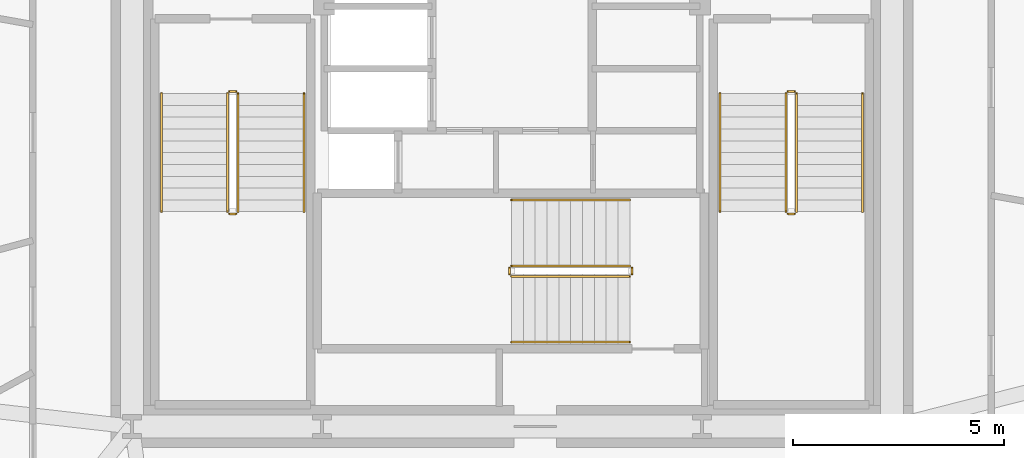
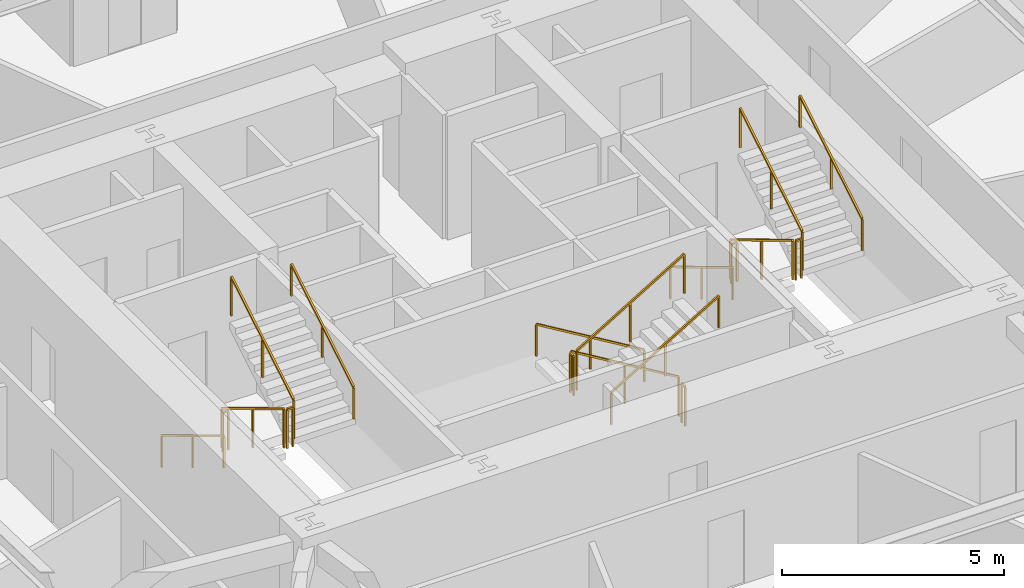
# One storey, part 8 of 9: 18 railings.
"""IFC4 building model written with IfcOpenShell, lengths in metres."""

from ifc_helpers import new_model, si_unit, direction, frame, origin, origin_2d, place, context, subcontext, project, spatial, rectangle, extrude, material, layer, layer_set, type_object, element, save


model = new_model("IFC4")

# Units and contexts
model_context = context("Model", 3, precision=1e-05, world=origin(), true_north=direction((0.0, 1.0)))
body_context = subcontext(model_context, "Body", "Model", "MODEL_VIEW")
ifc_project = project(units=[si_unit("LENGTHUNIT", "METRE"), si_unit("AREAUNIT", "SQUARE_METRE"), si_unit("VOLUMEUNIT", "CUBIC_METRE"), si_unit("PLANEANGLEUNIT", "RADIAN"), si_unit("MASSUNIT", "GRAM", prefix="KILO")], contexts=[model_context])

# Site, building, storey
site_placement = place(None, origin())
site = spatial("IfcSite", under=ifc_project, at=site_placement, CompositionType="ELEMENT")
building_placement = place(site_placement, origin())
building = spatial("IfcBuilding", under=site, at=building_placement, Name="Kilnhurst Terrace Hotel", CompositionType="ELEMENT")
storey_placement = place(building_placement, frame((0.0, 0.0, 60.10009765625)))
storey = spatial("IfcBuildingStorey", under=building, at=storey_placement, Name="L13", CompositionType="ELEMENT", Elevation=60.10009765625)

# Railings
ifc_material_1 = material(Name="Powder-Coated Steel ASTM A500 Grade B", Category="steel")
ifc_layer_1 = layer(ifc_material_1, 0.050048828125, Name="Powder-Coated Steel ASTM A500 Grade B")
ifc_layer_set_1 = layer_set([ifc_layer_1], Name="Powder-Coated Steel ASTM A500 Grade B")
railing_type_1 = type_object("IfcRailingType", Name="RLG-ST-GRD-1100", PredefinedType="GUARDRAIL", material=ifc_layer_set_1)
railing_1_placement = place(storey_placement, frame((-6.739990234375, 0.389892578125, 0.16796875)))
element("IfcRailing", 1, at=railing_1_placement, inside=storey, type_object=railing_type_1, Name="L13 ST-1 stair guard 1", PredefinedType="GUARDRAIL", context=body_context, shape_type="SweptSolid", body=[
    extrude(rectangle(XDim=0.048095703125, YDim=0.048095703125, at=origin_2d()), frame((0.0, 0.0, 1.076171875), z_axis=(0.0, -0.857222391501, 0.514946377315), x_axis=(1.0, 0.0, 0.0)), (0.0, 0.0, 1.0), 3.26611328125),
    extrude(rectangle(XDim=0.0419921875, YDim=0.0419921875, at=origin_2d()), origin(), (0.0, 0.0, 1.0), 1.052001953125),
    extrude(rectangle(XDim=0.0419921875, YDim=0.0419921875, at=origin_2d()), frame((0.0, -1.39990234375, 0.8408203125)), (0.0, 0.0, 1.0), 1.052001953125),
    extrude(rectangle(XDim=0.0419921875, YDim=0.0419921875, at=origin_2d()), frame((0.0, -2.7998046875, 1.681884765625)), (0.0, 0.0, 1.0), 1.052001953125),
])
railing_2_placement = place(storey_placement, frame((-6.68994140625, -2.4599609375, 1.849853515625)))
element("IfcRailing", 2, at=railing_2_placement, inside=storey, type_object=railing_type_1, Name="L13 ST-1 stair guard 2", PredefinedType="GUARDRAIL", context=body_context, shape_type="SweptSolid", body=[
    extrude(rectangle(XDim=0.048095703125, YDim=0.048095703125, at=origin_2d()), frame((0.0, 0.0, 1.076171875), z_axis=(1.0, 0.0, 0.0), x_axis=(0.0, 1.0, 0.0)), (0.0, 0.0, 1.0), 0.14990234375),
    extrude(rectangle(XDim=0.0419921875, YDim=0.0419921875, at=origin_2d()), origin(), (0.0, 0.0, 1.0), 1.052001953125),
    extrude(rectangle(XDim=0.0419921875, YDim=0.0419921875, at=origin_2d()), frame((0.14990234375, 0.0, 0.0)), (0.0, 0.0, 1.0), 1.052001953125),
])
railing_3_placement = place(storey_placement, frame((-6.489990234375, -2.409912109375, 2.01806640625)))
element("IfcRailing", 3, at=railing_3_placement, inside=storey, type_object=railing_type_1, Name="L13 ST-1 stair guard 3", PredefinedType="GUARDRAIL", context=body_context, shape_type="SweptSolid", body=[
    extrude(rectangle(XDim=0.048095703125, YDim=0.048095703125, at=origin_2d()), frame((0.0, 0.0, 1.076171875), z_axis=(0.0, 0.857222391501, 0.514946377315), x_axis=(-1.0, 0.0, 0.0)), (0.0, 0.0, 1.0), 3.26611328125),
    extrude(rectangle(XDim=0.0419921875, YDim=0.0419921875, at=origin_2d()), origin(), (0.0, 0.0, 1.0), 1.052001953125),
    extrude(rectangle(XDim=0.0419921875, YDim=0.0419921875, at=origin_2d()), frame((0.0, 1.39990234375, 0.8408203125)), (0.0, 0.0, 1.0), 1.052001953125),
    extrude(rectangle(XDim=0.0419921875, YDim=0.0419921875, at=origin_2d()), frame((0.0, 2.7998046875, 1.681884765625)), (0.0, 0.0, 1.0), 1.052001953125),
])
railing_4_placement = place(storey_placement, frame((-6.68994140625, 0.43994140625, 0.0)))
element("IfcRailing", 4, at=railing_4_placement, inside=storey, type_object=railing_type_1, Name="L13 ST-1 stair guard 4", PredefinedType="GUARDRAIL", context=body_context, shape_type="SweptSolid", body=[
    extrude(rectangle(XDim=0.048095703125, YDim=0.048095703125, at=origin_2d()), frame((0.0, 0.0, 1.076171875), z_axis=(1.0, 0.0, 0.0), x_axis=(0.0, 1.0, 0.0)), (0.0, 0.0, 1.0), 0.14990234375),
    extrude(rectangle(XDim=0.0419921875, YDim=0.0419921875, at=origin_2d()), origin(), (0.0, 0.0, 1.0), 1.052001953125),
    extrude(rectangle(XDim=0.0419921875, YDim=0.0419921875, at=origin_2d()), frame((0.14990234375, 0.0, 0.0)), (0.0, 0.0, 1.0), 1.052001953125),
])
railing_5_placement = place(storey_placement, frame((6.489990234375, 0.389892578125, 0.16796875)))
element("IfcRailing", 5, at=railing_5_placement, inside=storey, type_object=railing_type_1, Name="L13 ST-2 stair guard 1", PredefinedType="GUARDRAIL", context=body_context, shape_type="SweptSolid", body=[
    extrude(rectangle(XDim=0.048095703125, YDim=0.048095703125, at=origin_2d()), frame((0.0, 0.0, 1.076171875), z_axis=(0.0, -0.857222391501, 0.514946377315), x_axis=(1.0, 0.0, 0.0)), (0.0, 0.0, 1.0), 3.26611328125),
    extrude(rectangle(XDim=0.0419921875, YDim=0.0419921875, at=origin_2d()), origin(), (0.0, 0.0, 1.0), 1.052001953125),
    extrude(rectangle(XDim=0.0419921875, YDim=0.0419921875, at=origin_2d()), frame((0.0, -1.39990234375, 0.8408203125)), (0.0, 0.0, 1.0), 1.052001953125),
    extrude(rectangle(XDim=0.0419921875, YDim=0.0419921875, at=origin_2d()), frame((0.0, -2.7998046875, 1.681884765625)), (0.0, 0.0, 1.0), 1.052001953125),
])
railing_6_placement = place(storey_placement, frame((6.5400390625, -2.4599609375, 1.849853515625)))
element("IfcRailing", 6, at=railing_6_placement, inside=storey, type_object=railing_type_1, Name="L13 ST-2 stair guard 2", PredefinedType="GUARDRAIL", context=body_context, shape_type="SweptSolid", body=[
    extrude(rectangle(XDim=0.048095703125, YDim=0.048095703125, at=origin_2d()), frame((0.0, 0.0, 1.076171875), z_axis=(1.0, 0.0, 0.0), x_axis=(0.0, 1.0, 0.0)), (0.0, 0.0, 1.0), 0.14990234375),
    extrude(rectangle(XDim=0.0419921875, YDim=0.0419921875, at=origin_2d()), origin(), (0.0, 0.0, 1.0), 1.052001953125),
    extrude(rectangle(XDim=0.0419921875, YDim=0.0419921875, at=origin_2d()), frame((0.14990234375, 0.0, 0.0)), (0.0, 0.0, 1.0), 1.052001953125),
])
railing_7_placement = place(storey_placement, frame((6.739990234375, -2.409912109375, 2.01806640625)))
element("IfcRailing", 7, at=railing_7_placement, inside=storey, type_object=railing_type_1, Name="L13 ST-2 stair guard 3", PredefinedType="GUARDRAIL", context=body_context, shape_type="SweptSolid", body=[
    extrude(rectangle(XDim=0.048095703125, YDim=0.048095703125, at=origin_2d()), frame((0.0, 0.0, 1.076171875), z_axis=(0.0, 0.857222391501, 0.514946377315), x_axis=(-1.0, 0.0, 0.0)), (0.0, 0.0, 1.0), 3.26611328125),
    extrude(rectangle(XDim=0.0419921875, YDim=0.0419921875, at=origin_2d()), origin(), (0.0, 0.0, 1.0), 1.052001953125),
    extrude(rectangle(XDim=0.0419921875, YDim=0.0419921875, at=origin_2d()), frame((0.0, 1.39990234375, 0.8408203125)), (0.0, 0.0, 1.0), 1.052001953125),
    extrude(rectangle(XDim=0.0419921875, YDim=0.0419921875, at=origin_2d()), frame((0.0, 2.7998046875, 1.681884765625)), (0.0, 0.0, 1.0), 1.052001953125),
])
railing_8_placement = place(storey_placement, frame((6.5400390625, 0.43994140625, 0.0)))
element("IfcRailing", 8, at=railing_8_placement, inside=storey, type_object=railing_type_1, Name="L13 ST-2 stair guard 4", PredefinedType="GUARDRAIL", context=body_context, shape_type="SweptSolid", body=[
    extrude(rectangle(XDim=0.048095703125, YDim=0.048095703125, at=origin_2d()), frame((0.0, 0.0, 1.076171875), z_axis=(1.0, 0.0, 0.0), x_axis=(0.0, 1.0, 0.0)), (0.0, 0.0, 1.0), 0.14990234375),
    extrude(rectangle(XDim=0.0419921875, YDim=0.0419921875, at=origin_2d()), origin(), (0.0, 0.0, 1.0), 1.052001953125),
    extrude(rectangle(XDim=0.0419921875, YDim=0.0419921875, at=origin_2d()), frame((0.14990234375, 0.0, 0.0)), (0.0, 0.0, 1.0), 1.052001953125),
])
railing_9_placement = place(storey_placement, frame((2.7900390625, -3.68994140625, 0.16796875)))
element("IfcRailing", 9, at=railing_9_placement, inside=storey, type_object=railing_type_1, Name="L13 ST-3 stair guard 1", PredefinedType="GUARDRAIL", context=body_context, shape_type="SweptSolid", body=[
    extrude(rectangle(XDim=0.048095703125, YDim=0.048095703125, at=origin_2d()), frame((0.0, 0.0, 1.076171875), z_axis=(-0.857242210791, 0.0, 0.514913383045), x_axis=(0.0, -1.0, 0.0)), (0.0, 0.0, 1.0), 3.266357421875),
    extrude(rectangle(XDim=0.0419921875, YDim=0.0419921875, at=origin_2d()), origin(), (0.0, 0.0, 1.0), 1.052001953125),
    extrude(rectangle(XDim=0.0419921875, YDim=0.0419921875, at=origin_2d()), frame((-1.39990234375, 0.0, 0.8408203125)), (0.0, 0.0, 1.0), 1.052001953125),
    extrude(rectangle(XDim=0.0419921875, YDim=0.0419921875, at=origin_2d()), frame((-2.800048828125, 0.0, 1.681884765625)), (0.0, 0.0, 1.0), 1.052001953125),
])
railing_10_placement = place(storey_placement, frame((-0.06005859375, -3.739990234375, 1.849853515625)))
element("IfcRailing", 10, at=railing_10_placement, inside=storey, type_object=railing_type_1, Name="L13 ST-3 stair guard 2", PredefinedType="GUARDRAIL", context=body_context, shape_type="SweptSolid", body=[
    extrude(rectangle(XDim=0.048095703125, YDim=0.048095703125, at=origin_2d()), frame((0.0, 0.0, 1.076171875), z_axis=(0.0, -1.0, 0.0), x_axis=(1.0, 0.0, 0.0)), (0.0, 0.0, 1.0), 0.14990234375),
    extrude(rectangle(XDim=0.0419921875, YDim=0.0419921875, at=origin_2d()), origin(), (0.0, 0.0, 1.0), 1.052001953125),
    extrude(rectangle(XDim=0.0419921875, YDim=0.0419921875, at=origin_2d()), frame((0.0, -0.14990234375, 0.0)), (0.0, 0.0, 1.0), 1.052001953125),
])
railing_11_placement = place(storey_placement, frame((-0.010009765625, -3.93994140625, 2.01806640625)))
element("IfcRailing", 11, at=railing_11_placement, inside=storey, type_object=railing_type_1, Name="L13 ST-3 stair guard 3", PredefinedType="GUARDRAIL", context=body_context, shape_type="SweptSolid", body=[
    extrude(rectangle(XDim=0.048095703125, YDim=0.048095703125, at=origin_2d()), frame((0.0, 0.0, 1.076171875), z_axis=(0.857242210791, 0.0, 0.514913383045), x_axis=(0.0, 1.0, 0.0)), (0.0, 0.0, 1.0), 3.266357421875),
    extrude(rectangle(XDim=0.0419921875, YDim=0.0419921875, at=origin_2d()), origin(), (0.0, 0.0, 1.0), 1.052001953125),
    extrude(rectangle(XDim=0.0419921875, YDim=0.0419921875, at=origin_2d()), frame((1.39990234375, 0.0, 0.8408203125)), (0.0, 0.0, 1.0), 1.052001953125),
    extrude(rectangle(XDim=0.0419921875, YDim=0.0419921875, at=origin_2d()), frame((2.800048828125, 0.0, 1.681884765625)), (0.0, 0.0, 1.0), 1.052001953125),
])
railing_12_placement = place(storey_placement, frame((2.840087890625, -3.739990234375, 0.0)))
element("IfcRailing", 12, at=railing_12_placement, inside=storey, type_object=railing_type_1, Name="L13 ST-3 stair guard 4", PredefinedType="GUARDRAIL", context=body_context, shape_type="SweptSolid", body=[
    extrude(rectangle(XDim=0.048095703125, YDim=0.048095703125, at=origin_2d()), frame((0.0, 0.0, 1.076171875), z_axis=(0.0, -1.0, 0.0), x_axis=(1.0, 0.0, 0.0)), (0.0, 0.0, 1.0), 0.14990234375),
    extrude(rectangle(XDim=0.0419921875, YDim=0.0419921875, at=origin_2d()), origin(), (0.0, 0.0, 1.0), 1.052001953125),
    extrude(rectangle(XDim=0.0419921875, YDim=0.0419921875, at=origin_2d()), frame((0.0, -0.14990234375, 0.0)), (0.0, 0.0, 1.0), 1.052001953125),
])
ifc_material_2 = material(Name="Brushed Stainless Steel AISI 304", Category="steel")
ifc_layer_2 = layer(ifc_material_2, 0.048095703125, Name="Brushed Stainless Steel AISI 304")
ifc_layer_set_2 = layer_set([ifc_layer_2], Name="Brushed Stainless Steel AISI 304")
railing_type_2 = type_object("IfcRailingType", Name="RLG-ST-HRL-900", PredefinedType="HANDRAIL", material=ifc_layer_set_2)
railing_13_placement = place(storey_placement, frame((-8.300048828125, 0.389892578125, 0.16796875)))
element("IfcRailing", 13, at=railing_13_placement, inside=storey, type_object=railing_type_2, Name="L13 ST-1 stair handrail 1", PredefinedType="HANDRAIL", context=body_context, shape_type="SweptSolid", body=[
    extrude(rectangle(XDim=0.048095703125, YDim=0.048095703125, at=origin_2d()), frame((0.0, 0.0, 0.8759765625), z_axis=(0.0, -0.857222391501, 0.514946377315), x_axis=(1.0, 0.0, 0.0)), (0.0, 0.0, 1.0), 3.26611328125),
    extrude(rectangle(XDim=0.0419921875, YDim=0.0419921875, at=origin_2d()), origin(), (0.0, 0.0, 1.0), 0.851806640625),
    extrude(rectangle(XDim=0.0419921875, YDim=0.0419921875, at=origin_2d()), frame((0.0, -1.39990234375, 0.8408203125)), (0.0, 0.0, 1.0), 0.851806640625),
    extrude(rectangle(XDim=0.0419921875, YDim=0.0419921875, at=origin_2d()), frame((0.0, -2.7998046875, 1.681884765625)), (0.0, 0.0, 1.0), 0.851806640625),
])
railing_14_placement = place(storey_placement, frame((-4.929931640625, -2.409912109375, 2.01806640625)))
element("IfcRailing", 14, at=railing_14_placement, inside=storey, type_object=railing_type_2, Name="L13 ST-1 stair handrail 2", PredefinedType="HANDRAIL", context=body_context, shape_type="SweptSolid", body=[
    extrude(rectangle(XDim=0.048095703125, YDim=0.048095703125, at=origin_2d()), frame((0.0, 0.0, 0.8759765625), z_axis=(0.0, 0.857222391501, 0.514946377315), x_axis=(-1.0, 0.0, 0.0)), (0.0, 0.0, 1.0), 3.26611328125),
    extrude(rectangle(XDim=0.0419921875, YDim=0.0419921875, at=origin_2d()), origin(), (0.0, 0.0, 1.0), 0.851806640625),
    extrude(rectangle(XDim=0.0419921875, YDim=0.0419921875, at=origin_2d()), frame((0.0, 1.39990234375, 0.8408203125)), (0.0, 0.0, 1.0), 0.851806640625),
    extrude(rectangle(XDim=0.0419921875, YDim=0.0419921875, at=origin_2d()), frame((0.0, 2.7998046875, 1.681884765625)), (0.0, 0.0, 1.0), 0.851806640625),
])
railing_15_placement = place(storey_placement, frame((4.929931640625, 0.389892578125, 0.16796875)))
element("IfcRailing", 15, at=railing_15_placement, inside=storey, type_object=railing_type_2, Name="L13 ST-2 stair handrail 1", PredefinedType="HANDRAIL", context=body_context, shape_type="SweptSolid", body=[
    extrude(rectangle(XDim=0.048095703125, YDim=0.048095703125, at=origin_2d()), frame((0.0, 0.0, 0.8759765625), z_axis=(0.0, -0.857222391501, 0.514946377315), x_axis=(1.0, 0.0, 0.0)), (0.0, 0.0, 1.0), 3.26611328125),
    extrude(rectangle(XDim=0.0419921875, YDim=0.0419921875, at=origin_2d()), origin(), (0.0, 0.0, 1.0), 0.851806640625),
    extrude(rectangle(XDim=0.0419921875, YDim=0.0419921875, at=origin_2d()), frame((0.0, -1.39990234375, 0.8408203125)), (0.0, 0.0, 1.0), 0.851806640625),
    extrude(rectangle(XDim=0.0419921875, YDim=0.0419921875, at=origin_2d()), frame((0.0, -2.7998046875, 1.681884765625)), (0.0, 0.0, 1.0), 0.851806640625),
])
railing_16_placement = place(storey_placement, frame((8.300048828125, -2.409912109375, 2.01806640625)))
element("IfcRailing", 16, at=railing_16_placement, inside=storey, type_object=railing_type_2, Name="L13 ST-2 stair handrail 2", PredefinedType="HANDRAIL", context=body_context, shape_type="SweptSolid", body=[
    extrude(rectangle(XDim=0.048095703125, YDim=0.048095703125, at=origin_2d()), frame((0.0, 0.0, 0.8759765625), z_axis=(0.0, 0.857222391501, 0.514946377315), x_axis=(-1.0, 0.0, 0.0)), (0.0, 0.0, 1.0), 3.26611328125),
    extrude(rectangle(XDim=0.0419921875, YDim=0.0419921875, at=origin_2d()), origin(), (0.0, 0.0, 1.0), 0.851806640625),
    extrude(rectangle(XDim=0.0419921875, YDim=0.0419921875, at=origin_2d()), frame((0.0, 1.39990234375, 0.8408203125)), (0.0, 0.0, 1.0), 0.851806640625),
    extrude(rectangle(XDim=0.0419921875, YDim=0.0419921875, at=origin_2d()), frame((0.0, 2.7998046875, 1.681884765625)), (0.0, 0.0, 1.0), 0.851806640625),
])
railing_17_placement = place(storey_placement, frame((2.7900390625, -2.1298828125, 0.16796875)))
element("IfcRailing", 17, at=railing_17_placement, inside=storey, type_object=railing_type_2, Name="L13 ST-3 stair handrail 1", PredefinedType="HANDRAIL", context=body_context, shape_type="SweptSolid", body=[
    extrude(rectangle(XDim=0.048095703125, YDim=0.048095703125, at=origin_2d()), frame((0.0, 0.0, 0.8759765625), z_axis=(-0.857242210791, 0.0, 0.514913383045), x_axis=(0.0, -1.0, 0.0)), (0.0, 0.0, 1.0), 3.266357421875),
    extrude(rectangle(XDim=0.0419921875, YDim=0.0419921875, at=origin_2d()), origin(), (0.0, 0.0, 1.0), 0.851806640625),
    extrude(rectangle(XDim=0.0419921875, YDim=0.0419921875, at=origin_2d()), frame((-1.39990234375, 0.0, 0.8408203125)), (0.0, 0.0, 1.0), 0.851806640625),
    extrude(rectangle(XDim=0.0419921875, YDim=0.0419921875, at=origin_2d()), frame((-2.800048828125, 0.0, 1.681884765625)), (0.0, 0.0, 1.0), 0.851806640625),
])
railing_18_placement = place(storey_placement, frame((-0.010009765625, -5.5, 2.01806640625)))
element("IfcRailing", 18, at=railing_18_placement, inside=storey, type_object=railing_type_2, Name="L13 ST-3 stair handrail 2", PredefinedType="HANDRAIL", context=body_context, shape_type="SweptSolid", body=[
    extrude(rectangle(XDim=0.048095703125, YDim=0.048095703125, at=origin_2d()), frame((0.0, 0.0, 0.8759765625), z_axis=(0.857242210791, 0.0, 0.514913383045), x_axis=(0.0, 1.0, 0.0)), (0.0, 0.0, 1.0), 3.266357421875),
    extrude(rectangle(XDim=0.0419921875, YDim=0.0419921875, at=origin_2d()), origin(), (0.0, 0.0, 1.0), 0.851806640625),
    extrude(rectangle(XDim=0.0419921875, YDim=0.0419921875, at=origin_2d()), frame((1.39990234375, 0.0, 0.8408203125)), (0.0, 0.0, 1.0), 0.851806640625),
    extrude(rectangle(XDim=0.0419921875, YDim=0.0419921875, at=origin_2d()), frame((2.800048828125, 0.0, 1.681884765625)), (0.0, 0.0, 1.0), 0.851806640625),
])

save(model, "model.ifc")
